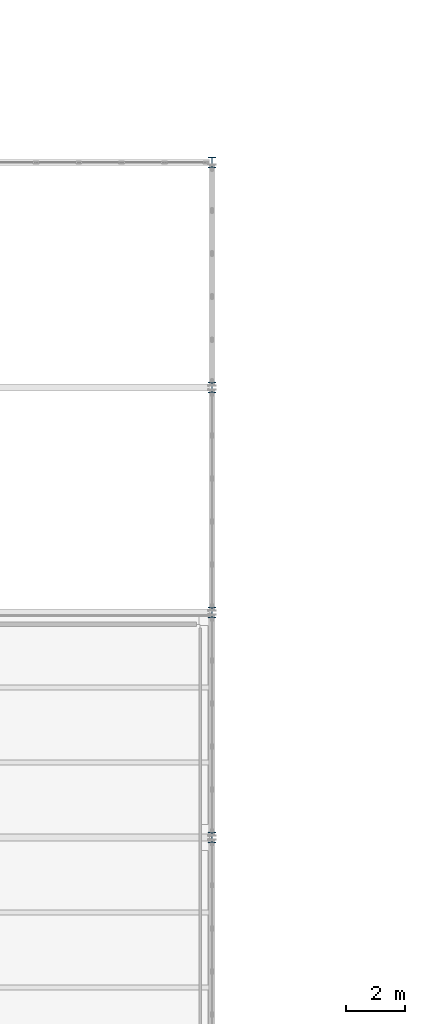
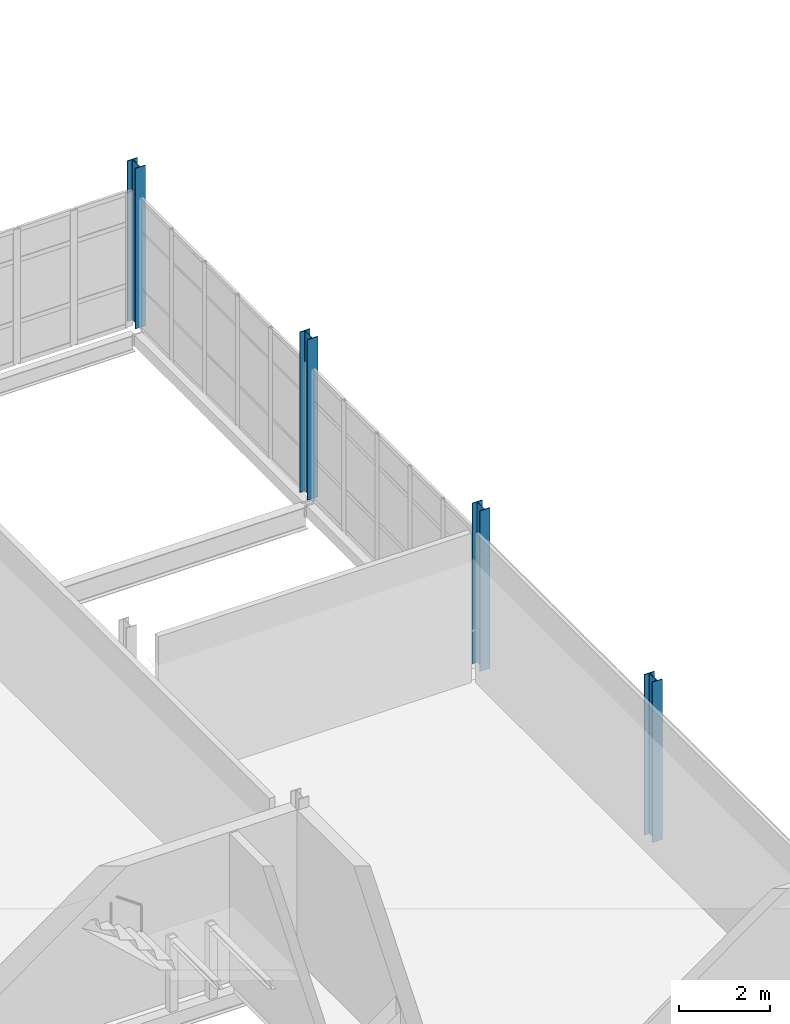
# One storey, part 12 of 174: 4 columns.
"""IFC4 building model written with IfcOpenShell, lengths in metres."""

from ifc_helpers import new_model, si_unit, direction, frame, origin, origin_2d, place, context, subcontext, project, spatial, i_section, extrude, material, material_profile, profile_set, type_object, element, save


model = new_model("IFC4")

# Units and contexts
model_context = context("Model", 3, precision=1e-05, world=origin(), true_north=direction((0.0, 1.0)))
body_context = subcontext(model_context, "Body", "Model", "MODEL_VIEW")
ifc_project = project(units=[si_unit("LENGTHUNIT", "METRE"), si_unit("AREAUNIT", "SQUARE_METRE"), si_unit("VOLUMEUNIT", "CUBIC_METRE"), si_unit("PLANEANGLEUNIT", "RADIAN"), si_unit("MASSUNIT", "GRAM", prefix="KILO")], contexts=[model_context])

# Site, building, storey
site_placement = place(None, origin())
site = spatial("IfcSite", under=ifc_project, at=site_placement, CompositionType="ELEMENT")
building_placement = place(site_placement, origin())
building = spatial("IfcBuilding", under=site, at=building_placement, Name="Caisbarro Railhouse Central Library", CompositionType="ELEMENT")
storey_placement = place(building_placement, frame((0.0, 0.0, 5.0400390625)))
storey = spatial("IfcBuildingStorey", under=building, at=storey_placement, Name="L01", CompositionType="ELEMENT", Elevation=5.0400390625)

# Columns
ifc_material = material(Name="Steel ASTM A572 Grade 50", Category="steel")
ifc_material_profile = material_profile(ifc_material, i_section(OverallWidth=0.257080078125, OverallDepth=0.363037109375, WebThickness=0.012939453125, FlangeThickness=0.021728515625, FilletRadius=0.014892578125, at=origin_2d()), Name="W360X122.0")
ifc_profile_set = profile_set([ifc_material_profile], Name="Steel ASTM A572 Grade 50")
column_type = type_object("IfcColumnType", Name="COL-C04", PredefinedType="COLUMN", material=ifc_profile_set)
for number, where, z_axis, x_axis, name in (
    (1, (72.0, 38.0, 0.0), (0.0, 0.0, 1.0), (1.0, 0.0, 0.0), "C04 column L01 (72.0,38.0)"),
    (2, (72.0, 45.60009765625, 0.0), (0.0, 0.0, 1.0), (1.0, 0.0, 0.0), "C04 column L01 (72.0,45.6)"),
    (3, (72.0, 53.199951171875, 0.0), (0.0, 0.0, 1.0), (1.0, 0.0, 0.0), "C04 column L01 (72.0,53.2)"),
    (4, (72.0, 60.800048828125, 0.0), (0.0, 0.0, 1.0), (1.0, 0.0, 0.0), "C04 column L01 (72.0,60.8)"),
):
    element("IfcColumn", number, at=place(storey_placement, frame(where, z_axis=z_axis, x_axis=x_axis)), inside=storey, type_object=column_type, Name=name, PredefinedType="COLUMN", context=body_context, shape_type="SweptSolid", body=[
        extrude(i_section(OverallWidth=0.257080078125, OverallDepth=0.363037109375, WebThickness=0.012939453125, FlangeThickness=0.021728515625, FilletRadius=0.014892578125, at=origin_2d()), origin(), (0.0, 0.0, 1.0), 4.320068359375),
    ])

save(model, "model.ifc")
